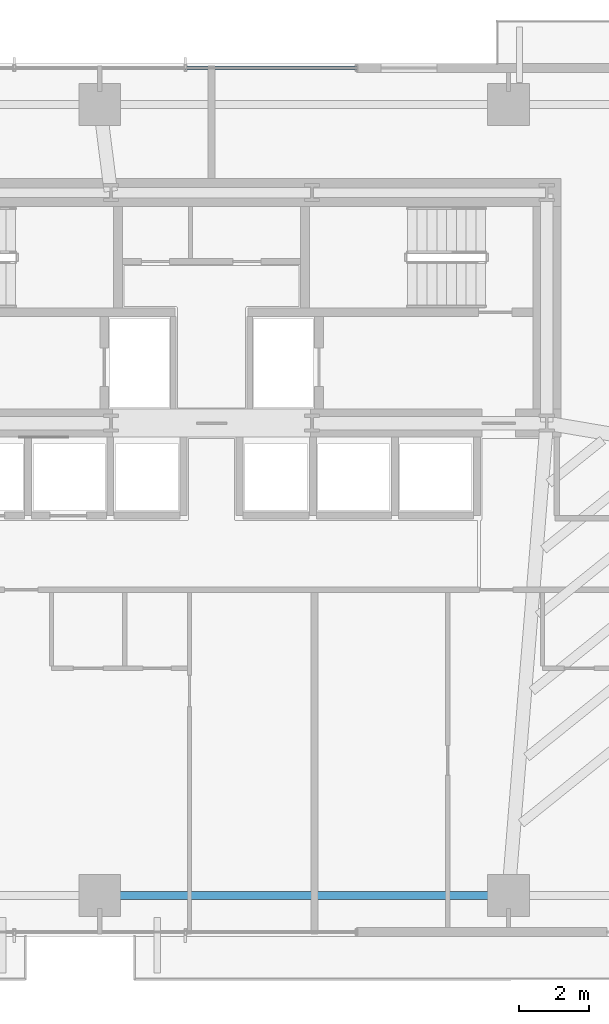
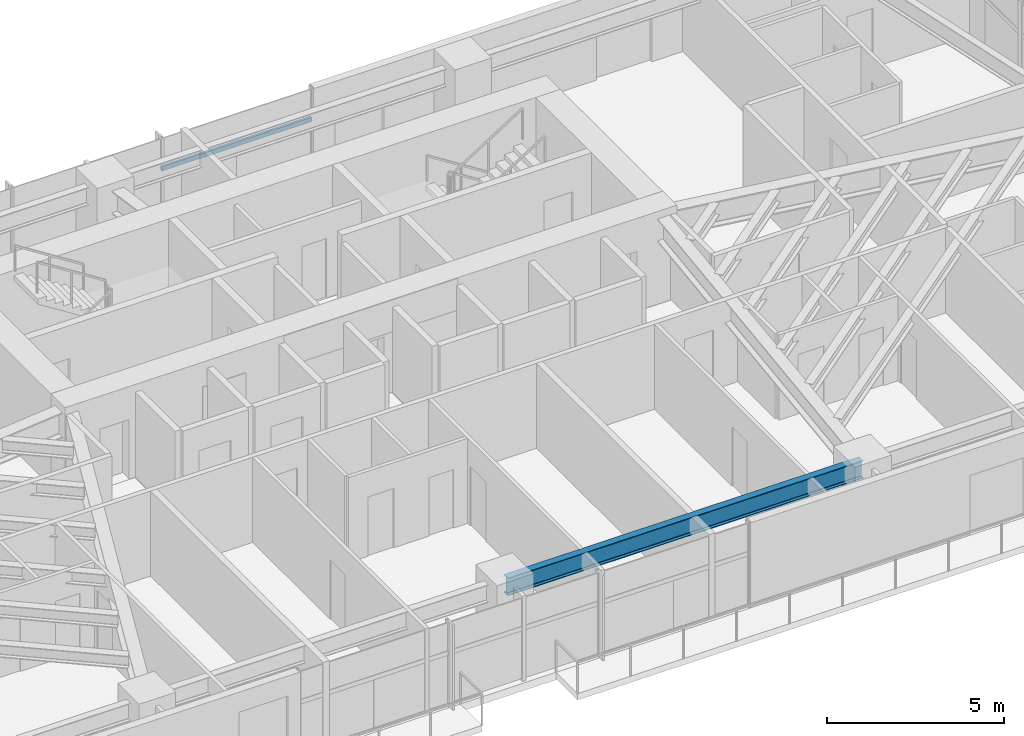
# One storey, part 11 of 25: 1 beam, 1 member, 1 element without a shape of its own.
"""IFC4 building model written with IfcOpenShell, lengths in metres."""

from ifc_helpers import new_model, si_unit, direction, frame, origin, origin_2d, place, context, subcontext, project, spatial, hollow_rectangle, i_section, extrude, source, transform, mapped, material, material_profile, profile_set, type_object, type_shapes, element, aggregate, save


model = new_model("IFC4")

# Units and contexts
model_context = context("Model", 3, precision=1e-05, world=origin(), true_north=direction((0.0, 1.0)))
body_context = subcontext(model_context, "Body", "Model", "MODEL_VIEW")
ifc_project = project(units=[si_unit("LENGTHUNIT", "METRE"), si_unit("AREAUNIT", "SQUARE_METRE"), si_unit("VOLUMEUNIT", "CUBIC_METRE"), si_unit("PLANEANGLEUNIT", "RADIAN"), si_unit("MASSUNIT", "GRAM", prefix="KILO")], contexts=[model_context])

# Site, building, storey
site_placement = place(None, origin())
site = spatial("IfcSite", under=ifc_project, at=site_placement, CompositionType="ELEMENT")
building_placement = place(site_placement, origin())
building = spatial("IfcBuilding", under=site, at=building_placement, Name="Astriad Promenade Condominiums", CompositionType="ELEMENT")
storey_placement = place(building_placement, frame((0.0, 0.0, 45.39990234375)))
storey = spatial("IfcBuildingStorey", under=building, at=storey_placement, Name="L12", CompositionType="ELEMENT", Elevation=45.39990234375)

# Beam
ifc_material_1 = material(Name="Steel ASTM A992 Grade 50", Category="steel")
ifc_material_profile_1 = material_profile(ifc_material_1, i_section(OverallWidth=0.22900390625, OverallDepth=0.612060546875, WebThickness=0.011962890625, FlangeThickness=0.01953125, FilletRadius=0.017822265625, at=origin_2d()), Name="W24X84")
ifc_profile_set_1 = profile_set([ifc_material_profile_1], Name="Steel ASTM A992 Grade 50")
beam_type = type_object("IfcBeamType", Name="STEEL SPANDREL BEAM W24X84", PredefinedType="SPANDREL", material=ifc_profile_set_1)
shared_shape_1 = source(origin(), body_context, "Body", "SweptSolid", [
    extrude(i_section(OverallWidth=0.22900390625, OverallDepth=0.612060546875, WebThickness=0.011962890625, FlangeThickness=0.01953125, FilletRadius=0.017822265625, at=origin_2d()), origin(), (0.0, 0.0, 1.0), 11.619873046875),
])
type_shapes(beam_type, [shared_shape_1])
beam_placement = place(storey_placement, frame((32.840087890625, 3.8798828125, 2.634033203125), z_axis=(1.0, 0.0, 0.0), x_axis=(0.0, 1.0, 0.0)))
element("IfcBeam", 1, at=beam_placement, inside=storey, type_object=beam_type, Name="Perimeter Spandrel Beam SP-S3-L12", PredefinedType="SPANDREL", context=body_context, shape_type="MappedRepresentation", body=[
    mapped(shared_shape_1, transform((0.0, 0.0, 0.0), scale=1.0)),
])

# Curtain wall, member
ifc_material_2 = material(Name="Anodised aluminium Black Dark Glass Unitised", Category="aluminium")
curtain_wall_type = type_object("IfcCurtainWallType", Name="CW-B1-DARK", PredefinedType="USERDEFINED", material=ifc_material_2)
curtain_wall_placement = place(storey_placement, origin())
curtain_wall = element("IfcCurtainWall", 2, at=curtain_wall_placement, inside=storey, type_object=curtain_wall_type, Name="CW-L12-N", ObjectType="UNITISED_CURTAIN_WALL", PredefinedType="USERDEFINED")
ifc_material_3 = material(Name="Anodised aluminium 6063-T6 Black", Category="aluminium")
ifc_material_profile_2 = material_profile(ifc_material_3, hollow_rectangle(XDim=0.074951171875, YDim=0.14990234375, WallThickness=0.004150390625, at=origin_2d()), Name="ALU-TRN-75X150")
ifc_profile_set_2 = profile_set([ifc_material_profile_2], Name="Anodised aluminium 6063-T6 Black")
member_type = type_object("IfcMemberType", Name="TRN-ALU-TRN-75X150", PredefinedType="USERDEFINED", material=ifc_profile_set_2)
shared_shape_2 = source(origin(), body_context, "Body", "SweptSolid", [
    extrude(hollow_rectangle(XDim=0.074951171875, YDim=0.14990234375, WallThickness=0.004150390625, at=origin_2d()), origin(), (0.0, 0.0, 1.0), 4.89990234375),
])
type_shapes(member_type, [shared_shape_2])
member_placement = place(storey_placement, frame((35.25, 27.570068359375, 1.822998046875), z_axis=(1.0, 0.0, 0.0), x_axis=(0.0, 1.0, 0.0)))
member = element("IfcMember", 3, at=member_placement, type_object=member_type, Name="CW-L12-N-TRN-02-0", ObjectType="TRANSOM", PredefinedType="USERDEFINED", context=body_context, shape_type="MappedRepresentation", body=[
    mapped(shared_shape_2, transform((0.0, 0.0, 0.0), scale=1.0)),
])
aggregate(curtain_wall, [member])

save(model, "model.ifc")
